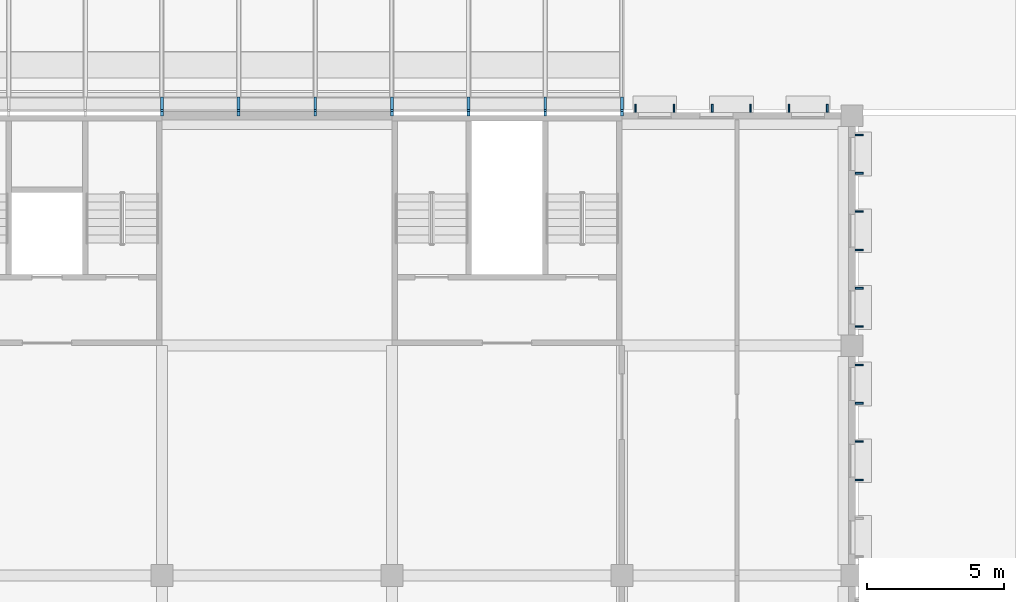
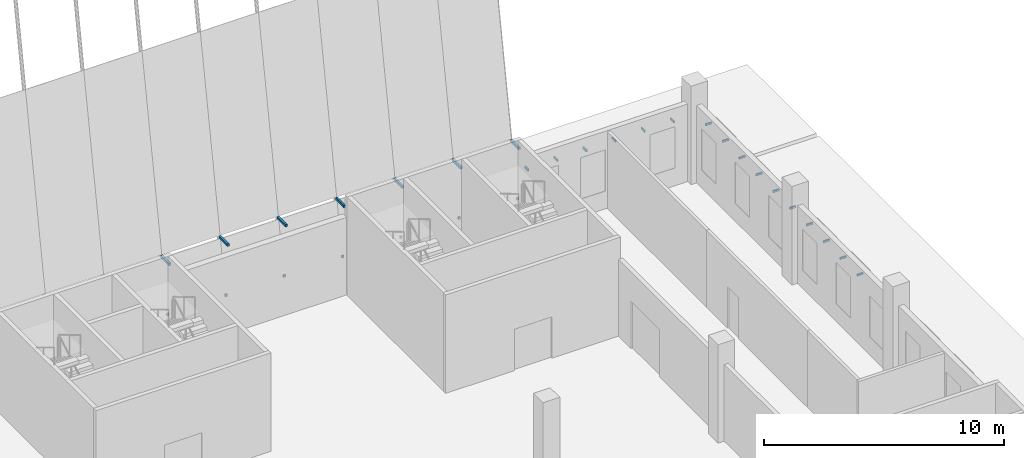
# One storey, part 58 of 101: 30 discrete accessories.
"""IFC4 building model written with IfcOpenShell, lengths in metres."""

from ifc_helpers import new_model, si_unit, direction, frame, origin, origin_2d, place, context, subcontext, project, spatial, rectangle, extrude, material, type_object, element, save


model = new_model("IFC4")

# Units and contexts
model_context = context("Model", 3, precision=1e-05, world=origin(), true_north=direction((0.0, 1.0)))
body_context = subcontext(model_context, "Body", "Model", "MODEL_VIEW")
ifc_project = project(units=[si_unit("LENGTHUNIT", "METRE"), si_unit("AREAUNIT", "SQUARE_METRE"), si_unit("VOLUMEUNIT", "CUBIC_METRE"), si_unit("PLANEANGLEUNIT", "RADIAN"), si_unit("MASSUNIT", "GRAM", prefix="KILO")], contexts=[model_context])

# Site, building, storey
site_placement = place(None, origin())
site = spatial("IfcSite", under=ifc_project, at=site_placement, CompositionType="ELEMENT")
building_placement = place(site_placement, origin())
building = spatial("IfcBuilding", under=site, at=building_placement, Name="Almond Square Museum", CompositionType="ELEMENT")
storey_placement = place(building_placement, frame((0.0, 0.0, 5.5)))
storey = spatial("IfcBuildingStorey", under=building, at=storey_placement, Name="L01", CompositionType="ELEMENT", Elevation=5.5)

# Discrete accessories
ifc_material_1 = material(Name="Stainless steel", Category="steel")
discrete_accessory_type_1 = type_object("IfcDiscreteAccessoryType", Name="Louvre post bracket", PredefinedType="BRACKET", material=ifc_material_1)
discrete_accessory_1_placement = place(storey_placement, frame((132.0, 109.386474609375, 1.688720703125), z_axis=(0.0, 0.0, 1.0), x_axis=(1.0, 0.0, 0.0)))
element("IfcDiscreteAccessory", 1, at=discrete_accessory_1_placement, inside=storey, type_object=discrete_accessory_type_1, Name="Bracket louvre post", PredefinedType="BRACKET", context=body_context, shape_type="SweptSolid", body=[
    extrude(rectangle(XDim=0.10009765625, YDim=0.076904296875, at=origin_2d()), origin(), (0.0, 0.0, 1.0), 0.1201171875),
])
discrete_accessory_2_placement = place(storey_placement, frame((132.0, 109.545166015625, 4.33984375), z_axis=(0.0, 0.0, 1.0), x_axis=(1.0, 0.0, 0.0)))
element("IfcDiscreteAccessory", 2, at=discrete_accessory_2_placement, inside=storey, type_object=discrete_accessory_type_1, Name="Bracket louvre post", PredefinedType="BRACKET", context=body_context, shape_type="SweptSolid", body=[
    extrude(rectangle(XDim=0.10009765625, YDim=0.6943359375, at=origin_2d()), origin(), (0.0, 0.0, 1.0), 0.1201171875),
])
discrete_accessory_3_placement = place(storey_placement, frame((134.800048828125, 109.386474609375, 1.688720703125), z_axis=(0.0, 0.0, 1.0), x_axis=(1.0, 0.0, 0.0)))
element("IfcDiscreteAccessory", 3, at=discrete_accessory_3_placement, inside=storey, type_object=discrete_accessory_type_1, Name="Bracket louvre post", PredefinedType="BRACKET", context=body_context, shape_type="SweptSolid", body=[
    extrude(rectangle(XDim=0.10009765625, YDim=0.076904296875, at=origin_2d()), origin(), (0.0, 0.0, 1.0), 0.1201171875),
])
discrete_accessory_4_placement = place(storey_placement, frame((134.800048828125, 109.545166015625, 4.33984375), z_axis=(0.0, 0.0, 1.0), x_axis=(1.0, 0.0, 0.0)))
element("IfcDiscreteAccessory", 4, at=discrete_accessory_4_placement, inside=storey, type_object=discrete_accessory_type_1, Name="Bracket louvre post", PredefinedType="BRACKET", context=body_context, shape_type="SweptSolid", body=[
    extrude(rectangle(XDim=0.10009765625, YDim=0.6943359375, at=origin_2d()), origin(), (0.0, 0.0, 1.0), 0.1201171875),
])
discrete_accessory_5_placement = place(storey_placement, frame((137.60009765625, 109.386474609375, 1.688720703125), z_axis=(0.0, 0.0, 1.0), x_axis=(1.0, 0.0, 0.0)))
element("IfcDiscreteAccessory", 5, at=discrete_accessory_5_placement, inside=storey, type_object=discrete_accessory_type_1, Name="Bracket louvre post", PredefinedType="BRACKET", context=body_context, shape_type="SweptSolid", body=[
    extrude(rectangle(XDim=0.10009765625, YDim=0.076904296875, at=origin_2d()), origin(), (0.0, 0.0, 1.0), 0.1201171875),
])
discrete_accessory_6_placement = place(storey_placement, frame((137.60009765625, 109.545166015625, 4.33984375), z_axis=(0.0, 0.0, 1.0), x_axis=(1.0, 0.0, 0.0)))
element("IfcDiscreteAccessory", 6, at=discrete_accessory_6_placement, inside=storey, type_object=discrete_accessory_type_1, Name="Bracket louvre post", PredefinedType="BRACKET", context=body_context, shape_type="SweptSolid", body=[
    extrude(rectangle(XDim=0.10009765625, YDim=0.6943359375, at=origin_2d()), origin(), (0.0, 0.0, 1.0), 0.1201171875),
])
discrete_accessory_7_placement = place(storey_placement, frame((140.39990234375, 109.386474609375, 1.688720703125), z_axis=(0.0, 0.0, 1.0), x_axis=(1.0, 0.0, 0.0)))
element("IfcDiscreteAccessory", 7, at=discrete_accessory_7_placement, inside=storey, type_object=discrete_accessory_type_1, Name="Bracket louvre post", PredefinedType="BRACKET", context=body_context, shape_type="SweptSolid", body=[
    extrude(rectangle(XDim=0.10009765625, YDim=0.076904296875, at=origin_2d()), origin(), (0.0, 0.0, 1.0), 0.1201171875),
])
discrete_accessory_8_placement = place(storey_placement, frame((140.39990234375, 109.545166015625, 4.33984375), z_axis=(0.0, 0.0, 1.0), x_axis=(1.0, 0.0, 0.0)))
element("IfcDiscreteAccessory", 8, at=discrete_accessory_8_placement, inside=storey, type_object=discrete_accessory_type_1, Name="Bracket louvre post", PredefinedType="BRACKET", context=body_context, shape_type="SweptSolid", body=[
    extrude(rectangle(XDim=0.10009765625, YDim=0.6943359375, at=origin_2d()), origin(), (0.0, 0.0, 1.0), 0.1201171875),
])
discrete_accessory_9_placement = place(storey_placement, frame((143.199951171875, 109.386474609375, 1.688720703125), z_axis=(0.0, 0.0, 1.0), x_axis=(1.0, 0.0, 0.0)))
element("IfcDiscreteAccessory", 9, at=discrete_accessory_9_placement, inside=storey, type_object=discrete_accessory_type_1, Name="Bracket louvre post", PredefinedType="BRACKET", context=body_context, shape_type="SweptSolid", body=[
    extrude(rectangle(XDim=0.10009765625, YDim=0.076904296875, at=origin_2d()), origin(), (0.0, 0.0, 1.0), 0.1201171875),
])
discrete_accessory_10_placement = place(storey_placement, frame((143.199951171875, 109.545166015625, 4.33984375), z_axis=(0.0, 0.0, 1.0), x_axis=(1.0, 0.0, 0.0)))
element("IfcDiscreteAccessory", 10, at=discrete_accessory_10_placement, inside=storey, type_object=discrete_accessory_type_1, Name="Bracket louvre post", PredefinedType="BRACKET", context=body_context, shape_type="SweptSolid", body=[
    extrude(rectangle(XDim=0.10009765625, YDim=0.6943359375, at=origin_2d()), origin(), (0.0, 0.0, 1.0), 0.1201171875),
])
discrete_accessory_11_placement = place(storey_placement, frame((146.0, 109.386474609375, 1.688720703125), z_axis=(0.0, 0.0, 1.0), x_axis=(1.0, 0.0, 0.0)))
element("IfcDiscreteAccessory", 11, at=discrete_accessory_11_placement, inside=storey, type_object=discrete_accessory_type_1, Name="Bracket louvre post", PredefinedType="BRACKET", context=body_context, shape_type="SweptSolid", body=[
    extrude(rectangle(XDim=0.10009765625, YDim=0.076904296875, at=origin_2d()), origin(), (0.0, 0.0, 1.0), 0.1201171875),
])
discrete_accessory_12_placement = place(storey_placement, frame((146.0, 109.545166015625, 4.33984375), z_axis=(0.0, 0.0, 1.0), x_axis=(1.0, 0.0, 0.0)))
element("IfcDiscreteAccessory", 12, at=discrete_accessory_12_placement, inside=storey, type_object=discrete_accessory_type_1, Name="Bracket louvre post", PredefinedType="BRACKET", context=body_context, shape_type="SweptSolid", body=[
    extrude(rectangle(XDim=0.10009765625, YDim=0.6943359375, at=origin_2d()), origin(), (0.0, 0.0, 1.0), 0.1201171875),
])
discrete_accessory_13_placement = place(storey_placement, frame((148.800048828125, 109.386474609375, 1.688720703125), z_axis=(0.0, 0.0, 1.0), x_axis=(1.0, 0.0, 0.0)))
element("IfcDiscreteAccessory", 13, at=discrete_accessory_13_placement, inside=storey, type_object=discrete_accessory_type_1, Name="Bracket louvre post", PredefinedType="BRACKET", context=body_context, shape_type="SweptSolid", body=[
    extrude(rectangle(XDim=0.10009765625, YDim=0.076904296875, at=origin_2d()), origin(), (0.0, 0.0, 1.0), 0.1201171875),
])
discrete_accessory_14_placement = place(storey_placement, frame((148.800048828125, 109.545166015625, 4.33984375), z_axis=(0.0, 0.0, 1.0), x_axis=(1.0, 0.0, 0.0)))
element("IfcDiscreteAccessory", 14, at=discrete_accessory_14_placement, inside=storey, type_object=discrete_accessory_type_1, Name="Bracket louvre post", PredefinedType="BRACKET", context=body_context, shape_type="SweptSolid", body=[
    extrude(rectangle(XDim=0.10009765625, YDim=0.6943359375, at=origin_2d()), origin(), (0.0, 0.0, 1.0), 0.1201171875),
])
ifc_material_2 = material(Name="Stainless steel", Category="steel")
discrete_accessory_type_2 = type_object("IfcDiscreteAccessoryType", Name="Sun-shade blade bracket", PredefinedType="BRACKET", material=ifc_material_2)
for number, where, z_axis, x_axis, name in (
    (15, (157.472900390625, 95.89990234375, 2.9970703125), (0.0, 0.0, 1.0), (1.0, 0.0, 0.0), "Bracket sun-shade blade"),
    (16, (157.472900390625, 97.300048828125, 2.9970703125), (0.0, 0.0, 1.0), (1.0, 0.0, 0.0), "Bracket sun-shade blade"),
    (17, (157.472900390625, 98.699951171875, 2.9970703125), (0.0, 0.0, 1.0), (1.0, 0.0, 0.0), "Bracket sun-shade blade"),
    (18, (157.472900390625, 100.10009765625, 2.9970703125), (0.0, 0.0, 1.0), (1.0, 0.0, 0.0), "Bracket sun-shade blade"),
    (19, (157.472900390625, 101.5, 2.9970703125), (0.0, 0.0, 1.0), (1.0, 0.0, 0.0), "Bracket sun-shade blade"),
    (20, (157.472900390625, 102.89990234375, 2.9970703125), (0.0, 0.0, 1.0), (1.0, 0.0, 0.0), "Bracket sun-shade blade"),
    (21, (157.472900390625, 104.300048828125, 2.9970703125), (0.0, 0.0, 1.0), (1.0, 0.0, 0.0), "Bracket sun-shade blade"),
    (22, (157.472900390625, 105.699951171875, 2.9970703125), (0.0, 0.0, 1.0), (1.0, 0.0, 0.0), "Bracket sun-shade blade"),
    (23, (157.472900390625, 107.10009765625, 2.9970703125), (0.0, 0.0, 1.0), (1.0, 0.0, 0.0), "Bracket sun-shade blade"),
    (24, (157.472900390625, 108.5, 2.9970703125), (0.0, 0.0, 1.0), (1.0, 0.0, 0.0), "Bracket sun-shade blade"),
):
    element("IfcDiscreteAccessory", number, at=place(storey_placement, frame(where, z_axis=z_axis, x_axis=x_axis)), inside=storey, type_object=discrete_accessory_type_2, Name=name, PredefinedType="BRACKET", context=body_context, shape_type="SweptSolid", body=[
        extrude(rectangle(XDim=0.300048828125, YDim=0.06005859375, at=origin_2d()), origin(), (0.0, 0.0, 1.0), 0.10009765625),
    ])
for number, where, z_axis, x_axis, name in (
    (25, (149.300048828125, 109.472900390625, 2.9970703125), (0.0, 0.0, 1.0), (1.0, 0.0, 0.0), "Bracket sun-shade blade"),
    (26, (150.699951171875, 109.472900390625, 2.9970703125), (0.0, 0.0, 1.0), (1.0, 0.0, 0.0), "Bracket sun-shade blade"),
    (27, (152.10009765625, 109.472900390625, 2.9970703125), (0.0, 0.0, 1.0), (1.0, 0.0, 0.0), "Bracket sun-shade blade"),
    (28, (153.5, 109.472900390625, 2.9970703125), (0.0, 0.0, 1.0), (1.0, 0.0, 0.0), "Bracket sun-shade blade"),
    (29, (154.89990234375, 109.472900390625, 2.9970703125), (0.0, 0.0, 1.0), (1.0, 0.0, 0.0), "Bracket sun-shade blade"),
    (30, (156.300048828125, 109.472900390625, 2.9970703125), (0.0, 0.0, 1.0), (1.0, 0.0, 0.0), "Bracket sun-shade blade"),
):
    element("IfcDiscreteAccessory", number, at=place(storey_placement, frame(where, z_axis=z_axis, x_axis=x_axis)), inside=storey, type_object=discrete_accessory_type_2, Name=name, PredefinedType="BRACKET", context=body_context, shape_type="SweptSolid", body=[
        extrude(rectangle(XDim=0.06005859375, YDim=0.300048828125, at=origin_2d()), origin(), (0.0, 0.0, 1.0), 0.10009765625),
    ])

save(model, "model.ifc")
